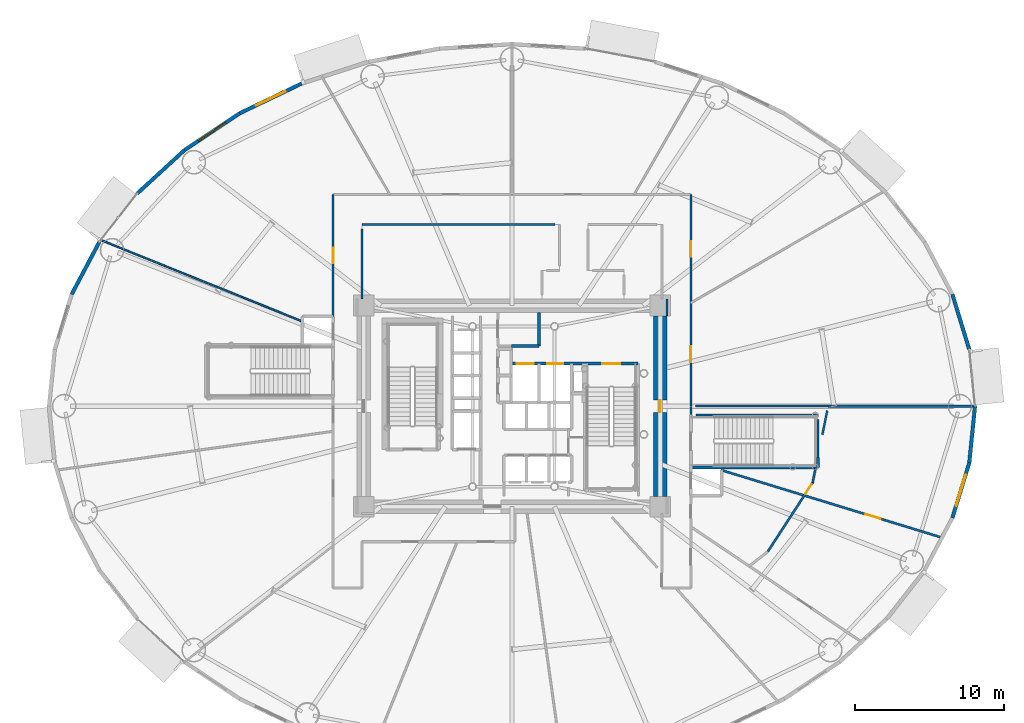
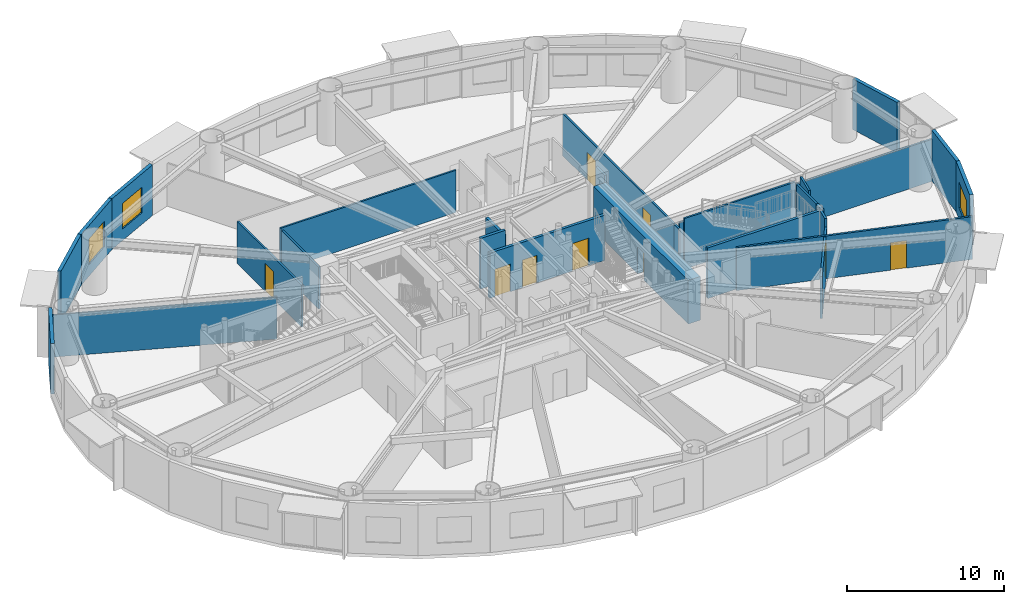
# One storey, part 22 of 35: 28 walls, 9 doors, 3 windows, 12 openings.
"""IFC4 building model written with IfcOpenShell, lengths in metres."""

from ifc_helpers import new_model, si_unit, direction, frame, frame_2d, origin, origin_2d, place, context, subcontext, project, spatial, rectangle, extrude, source, transform, mapped, material, layer, layer_set, type_object, element, fill, save


model = new_model("IFC4")

# Units and contexts
model_context = context("Model", 3, precision=1e-05, world=origin(), true_north=direction((0.0, 1.0)))
body_context = subcontext(model_context, "Body", "Model", "MODEL_VIEW")
ifc_project = project(units=[si_unit("LENGTHUNIT", "METRE"), si_unit("AREAUNIT", "SQUARE_METRE"), si_unit("VOLUMEUNIT", "CUBIC_METRE"), si_unit("PLANEANGLEUNIT", "RADIAN"), si_unit("MASSUNIT", "GRAM", prefix="KILO")], contexts=[model_context])

# Site, building, storey
site_placement = place(None, origin())
site = spatial("IfcSite", under=ifc_project, at=site_placement, CompositionType="ELEMENT")
building_placement = place(site_placement, origin())
building = spatial("IfcBuilding", under=site, at=building_placement, Name="Linh Dai School and Residence Tower", CompositionType="ELEMENT")
storey_placement = place(building_placement, frame((0.0, 0.0, 49.199951171875)))
storey = spatial("IfcBuildingStorey", under=building, at=storey_placement, Name="L11", CompositionType="ELEMENT", Elevation=49.199951171875)

# Wall
ifc_material_1 = material(Name="Precast Concrete B45 (C35/45)", Category="concrete")
ifc_layer_1 = layer(ifc_material_1, 0.25)
ifc_layer_set_1 = layer_set([ifc_layer_1], Name="Precast Concrete B45 (C35/45)")
wall_type_1 = type_object("IfcWallType", Name="EW-TC-250", PredefinedType="SOLIDWALL", material=ifc_layer_set_1)
wall_1_placement = place(storey_placement, frame((65.5576171875, 34.50146484375, 0.0), z_axis=(0.0, 0.0, 1.0), x_axis=(0.293111631758, -0.956078224482, 0.0)))
element("IfcWall", 1, at=wall_1_placement, inside=storey, type_object=wall_type_1, Name="L11 Terracotta Exterior Wall 02", PredefinedType="SOLIDWALL", context=body_context, shape_type="SweptSolid", body=[
    extrude(rectangle(XDim=3.874755859375, YDim=0.25, at=frame_2d((1.9375, 0.0))), origin(), (0.0, 0.0, 1.0), 3.949951171875),
])

# Wall, opening, window
wall_2_placement = place(storey_placement, frame((17.722900390625, 46.65576171875, 0.0), z_axis=(0.0, 0.0, 1.0), x_axis=(0.901601503137, 0.432567601123, 0.0)))
wall_2 = element("IfcWall", 2, at=wall_2_placement, inside=storey, type_object=wall_type_1, Name="L11 Terracotta Exterior Wall 14", PredefinedType="SOLIDWALL", context=body_context, shape_type="SweptSolid", body=[
    extrude(rectangle(XDim=4.61279296875, YDim=0.25, at=frame_2d((2.306396484375, 0.0))), origin(), (0.0, 0.0, 1.0), 3.949951171875),
])
opening_1_placement = place(wall_2_placement, frame((1.20654296875, 0.0, 0.89990234375)))
opening_1 = element("IfcOpeningElement", 3, at=opening_1_placement, cuts=wall_2, Name="Opening W4", PredefinedType="OPENING", context=body_context, shape_type="SweptSolid", body=[
    extrude(rectangle(XDim=2.199951171875, YDim=2.0, at=origin_2d()), frame((1.10009765625, 0.135009765625, 1.0), z_axis=(0.0, -1.0, 0.0), x_axis=(1.0, 0.0, 0.0)), (0.0, 0.0, 1.0), 0.27001953125),
])
ifc_material_2 = material(Name="Acoustic Laminated Low-E Glazing", Category="glass")
window_type = type_object("IfcWindowType", Name="WN-SCH-2200x2000", PartitioningType="TRIPLE_PANEL_VERTICAL", PredefinedType="WINDOW", material=ifc_material_2)
shared_shape_1 = source(origin(), body_context, "Body", "SweptSolid", [
    extrude(rectangle(XDim=2.199951171875, YDim=2.0, at=origin_2d()), frame((1.10009765625, 0.030029296875, 1.0), z_axis=(0.0, -1.0, 0.0), x_axis=(1.0, 0.0, 0.0)), (0.0, 0.0, 1.0), 0.06005859375),
])
window_1_placement = place(opening_1_placement, origin())
window_1 = element("IfcWindow", 4, at=window_1_placement, inside=storey, type_object=window_type, Name="L11 Exterior Window 14.1", OverallHeight=2.0, OverallWidth=2.199951171875, PartitioningType="TRIPLE_PANEL_VERTICAL", PredefinedType="WINDOW", context=body_context, shape_type="MappedRepresentation", body=[
    mapped(shared_shape_1, transform((0.0, 0.0, 0.0), x_axis=(1.0, 0.0, 0.0), y_axis=(0.0, 1.0, 0.0), z_axis=(0.0, 0.0, 1.0), scale=1.0)),
])
fill(opening_1, window_1)

wall_3_placement = place(storey_placement, frame((14.015380859375, 44.17626953125, 0.0), z_axis=(0.0, 0.0, 1.0), x_axis=(0.831240982525, 0.555912249343, 0.0)))
wall_3 = element("IfcWall", 5, at=wall_3_placement, inside=storey, type_object=wall_type_1, Name="L11 Terracotta Exterior Wall 15", PredefinedType="SOLIDWALL", context=body_context, shape_type="SweptSolid", body=[
    extrude(rectangle(XDim=4.460205078125, YDim=0.25, at=frame_2d((2.22998046875, 0.0))), origin(), (0.0, 0.0, 1.0), 3.949951171875),
])
opening_2_placement = place(wall_3_placement, frame((1.13037109375, 0.0, 0.89990234375)))
opening_2 = element("IfcOpeningElement", 6, at=opening_2_placement, cuts=wall_3, Name="Opening W4", PredefinedType="OPENING", context=body_context, shape_type="SweptSolid", body=[
    extrude(rectangle(XDim=2.199951171875, YDim=2.0, at=origin_2d()), frame((1.10009765625, 0.135009765625, 1.0), z_axis=(0.0, -1.0, 0.0), x_axis=(1.0, 0.0, 0.0)), (0.0, 0.0, 1.0), 0.27001953125),
])
window_2_placement = place(opening_2_placement, origin())
window_2 = element("IfcWindow", 7, at=window_2_placement, inside=storey, type_object=window_type, Name="L11 Exterior Window 15.1", OverallHeight=2.0, OverallWidth=2.199951171875, PartitioningType="TRIPLE_PANEL_VERTICAL", PredefinedType="WINDOW", context=body_context, shape_type="MappedRepresentation", body=[
    mapped(shared_shape_1, transform((0.0, 0.0, 0.0), x_axis=(1.0, 0.0, 0.0), y_axis=(0.0, 1.0, 0.0), z_axis=(0.0, 0.0, 1.0), scale=1.0)),
])
fill(opening_2, window_2)

# Walls
wall_4_placement = place(storey_placement, frame((10.850341796875, 41.274658203125, 0.0), z_axis=(0.0, 0.0, 1.0), x_axis=(0.737116376281, 0.67576582321, 0.0)))
element("IfcWall", 8, at=wall_4_placement, inside=storey, type_object=wall_type_1, Name="L11 Terracotta Exterior Wall 16", PredefinedType="SOLIDWALL", context=body_context, shape_type="SweptSolid", body=[
    extrude(rectangle(XDim=4.293701171875, YDim=0.25, at=frame_2d((2.14697265625, 0.0))), origin(), (0.0, 0.0, 1.0), 3.949951171875),
])
wall_5_placement = place(storey_placement, frame((6.4423828125, 34.50146484375, 0.0), z_axis=(0.0, 0.0, 1.0), x_axis=(0.467662443071, 0.883907144072, 0.0)))
element("IfcWall", 9, at=wall_5_placement, inside=storey, type_object=wall_type_1, Name="L11 Terracotta Exterior Wall 18", PredefinedType="SOLIDWALL", context=body_context, shape_type="SweptSolid", body=[
    extrude(rectangle(XDim=3.983642578125, YDim=0.25, at=frame_2d((1.99169921875, 0.0))), origin(), (0.0, 0.0, 1.0), 3.949951171875),
])

# Wall, opening, window
wall_6_placement = place(storey_placement, frame((66.693359375, 23.203125, 0.0), z_axis=(0.0, 0.0, 1.0), x_axis=(-0.293111631758, -0.956078224482, 0.0)))
wall_6 = element("IfcWall", 10, at=wall_6_placement, inside=storey, type_object=wall_type_1, Name="L11 Terracotta Exterior Wall 39", PredefinedType="SOLIDWALL", context=body_context, shape_type="SweptSolid", body=[
    extrude(rectangle(XDim=3.874755859375, YDim=0.25, at=frame_2d((1.9375, 0.0))), origin(), (0.0, 0.0, 1.0), 3.949951171875),
])
opening_3_placement = place(wall_6_placement, frame((0.83740234375, 0.0, 0.89990234375)))
opening_3 = element("IfcOpeningElement", 11, at=opening_3_placement, cuts=wall_6, Name="Opening W4", PredefinedType="OPENING", context=body_context, shape_type="SweptSolid", body=[
    extrude(rectangle(XDim=2.199951171875, YDim=2.0, at=origin_2d()), frame((1.10009765625, 0.135009765625, 1.0), z_axis=(0.0, -1.0, 0.0), x_axis=(1.0, 0.0, 0.0)), (0.0, 0.0, 1.0), 0.27001953125),
])
window_3_placement = place(opening_3_placement, origin())
window_3 = element("IfcWindow", 12, at=window_3_placement, inside=storey, type_object=window_type, Name="L11 Exterior Window 39.1", OverallHeight=2.0, OverallWidth=2.199951171875, PartitioningType="TRIPLE_PANEL_VERTICAL", PredefinedType="WINDOW", context=body_context, shape_type="MappedRepresentation", body=[
    mapped(shared_shape_1, transform((0.0, 0.0, 0.0), x_axis=(1.0, 0.0, 0.0), y_axis=(0.0, 1.0, 0.0), z_axis=(0.0, 0.0, 1.0), scale=1.0)),
])
fill(opening_3, window_3)

# Wall
wall_7_placement = place(storey_placement, frame((67.074951171875, 27.0, 0.0), z_axis=(0.0, 0.0, 1.0), x_axis=(-0.099997795174, -0.994987658698, 0.0)))
element("IfcWall", 13, at=wall_7_placement, inside=storey, type_object=wall_type_1, Name="L11 Terracotta Exterior Wall 40", PredefinedType="SOLIDWALL", context=body_context, shape_type="SweptSolid", body=[
    extrude(rectangle(XDim=3.81591796875, YDim=0.25, at=frame_2d((1.907958984375, 0.0))), origin(), (0.0, 0.0, 1.0), 3.949951171875),
])

# Wall, opening, door
ifc_material_3 = material(Name="Autoclaved Aerated Concrete Blockwork", Category="masonry")
ifc_layer_2 = layer(ifc_material_3, 0.135009765625)
ifc_layer_set_2 = layer_set([ifc_layer_2], Name="Autoclaved Aerated Concrete Blockwork")
wall_type_2 = type_object("IfcWallType", Name="IW-CORR-135-EI90", PredefinedType="PARTITIONING", material=ifc_layer_set_2)
wall_8_placement = place(storey_placement, frame((24.0, 33.010009765625, 0.0), z_axis=(0.0, 0.0, 1.0), x_axis=(0.0, 1.0, 0.0)))
wall_8 = element("IfcWall", 14, at=wall_8_placement, inside=storey, type_object=wall_type_2, Name="L11 Interior Partition Wall 013", PredefinedType="PARTITIONING", context=body_context, shape_type="SweptSolid", body=[
    extrude(rectangle(XDim=8.18994140625, YDim=0.135009765625, at=frame_2d((4.094970703125, 0.0))), origin(), (0.0, 0.0, 1.0), 3.28515625),
])
opening_4_placement = place(wall_8_placement, frame((3.570068359375, 0.0, 0.0)))
opening_4 = element("IfcOpeningElement", 15, at=opening_4_placement, cuts=wall_8, Name="Opening D04", PredefinedType="OPENING", context=body_context, shape_type="SweptSolid", body=[
    extrude(rectangle(XDim=1.050048828125, YDim=2.14990234375, at=origin_2d()), frame((0.52490234375, 0.07763671875, 1.074951171875), z_axis=(0.0, -1.0, 0.0), x_axis=(1.0, 0.0, 0.0)), (0.0, 0.0, 1.0), 0.155029296875),
])
ifc_material_4 = material(Name="Acoustic Vision-Panel Timber Classroom Door", Category="wood")
door_type_1 = type_object("IfcDoorType", Name="DR-SCH-1050x2150-FD60S", OperationType="NOTDEFINED", PredefinedType="DOOR", material=ifc_material_4)
shared_shape_2 = source(origin(), body_context, "Body", "SweptSolid", [
    extrude(rectangle(XDim=1.050048828125, YDim=2.14990234375, at=origin_2d()), frame((0.52490234375, 0.02490234375, 1.074951171875), z_axis=(0.0, -1.0, 0.0), x_axis=(1.0, 0.0, 0.0)), (0.0, 0.0, 1.0), 0.050048828125),
])
door_1_placement = place(opening_4_placement, origin())
door_1 = element("IfcDoor", 16, at=door_1_placement, inside=storey, type_object=door_type_1, Name="L11 Fine Art Painting Studio Door", OperationType="SINGLE_SWING_RIGHT", OverallHeight=2.14990234375, OverallWidth=1.050048828125, PredefinedType="DOOR", context=body_context, shape_type="MappedRepresentation", body=[
    mapped(shared_shape_2, transform((0.0, 0.0, 0.0), x_axis=(1.0, 0.0, 0.0), y_axis=(0.0, 1.0, 0.0), z_axis=(0.0, 0.0, 1.0), scale=1.0)),
])
fill(opening_4, door_1)

# Wall, openings, doors
wall_9_placement = place(storey_placement, frame((48.0, 27.0, 0.0), z_axis=(0.0, 0.0, 1.0), x_axis=(0.0, 1.0, 0.0)))
wall_9 = element("IfcWall", 17, at=wall_9_placement, inside=storey, type_object=wall_type_2, Name="L11 Interior Partition Wall 067", PredefinedType="PARTITIONING", context=body_context, shape_type="SweptSolid", body=[
    extrude(rectangle(XDim=14.199951171875, YDim=0.135009765625, at=frame_2d((7.10009765625, 0.0))), origin(), (0.0, 0.0, 1.0), 3.28515625),
])
opening_5_placement = place(wall_9_placement, frame((2.958984375, 0.0, 0.0)))
opening_5 = element("IfcOpeningElement", 18, at=opening_5_placement, cuts=wall_9, Name="Opening D04", PredefinedType="OPENING", context=body_context, shape_type="SweptSolid", body=[
    extrude(rectangle(XDim=1.050048828125, YDim=2.14990234375, at=origin_2d()), frame((0.52490234375, 0.07763671875, 1.074951171875), z_axis=(0.0, -1.0, 0.0), x_axis=(1.0, 0.0, 0.0)), (0.0, 0.0, 1.0), 0.155029296875),
])
opening_6_placement = place(wall_9_placement, frame((10.01904296875, 0.0, 0.0)))
opening_6 = element("IfcOpeningElement", 19, at=opening_6_placement, cuts=wall_9, Name="Opening D04", PredefinedType="OPENING", context=body_context, shape_type="SweptSolid", body=[
    extrude(rectangle(XDim=1.050048828125, YDim=2.14990234375, at=origin_2d()), frame((0.52490234375, 0.07763671875, 1.074951171875), z_axis=(0.0, -1.0, 0.0), x_axis=(1.0, 0.0, 0.0)), (0.0, 0.0, 1.0), 0.155029296875),
])
door_2_placement = place(opening_5_placement, origin())
door_2 = element("IfcDoor", 20, at=door_2_placement, inside=storey, type_object=door_type_1, Name="L11 Secondary Classroom 1 Door", OperationType="SINGLE_SWING_RIGHT", OverallHeight=2.14990234375, OverallWidth=1.050048828125, PredefinedType="DOOR", context=body_context, shape_type="MappedRepresentation", body=[
    mapped(shared_shape_2, transform((0.0, 0.0, 0.0), x_axis=(1.0, 0.0, 0.0), y_axis=(0.0, 1.0, 0.0), z_axis=(0.0, 0.0, 1.0), scale=1.0)),
])
fill(opening_5, door_2)
door_3_placement = place(opening_6_placement, origin())
door_3 = element("IfcDoor", 21, at=door_3_placement, inside=storey, type_object=door_type_1, Name="L11 Secondary Classroom 2 Door", OperationType="SINGLE_SWING_LEFT", OverallHeight=2.14990234375, OverallWidth=1.050048828125, PredefinedType="DOOR", context=body_context, shape_type="MappedRepresentation", body=[
    mapped(shared_shape_2, transform((0.0, 0.0, 0.0), x_axis=(1.0, 0.0, 0.0), y_axis=(0.0, 1.0, 0.0), z_axis=(0.0, 0.0, 1.0), scale=1.0)),
])
fill(opening_6, door_3)

# Walls
wall_10_placement = place(storey_placement, frame((48.360107421875, 26.419921875, 0.0), z_axis=(0.0, 0.0, 1.0), x_axis=(1.0, 0.0, 0.0)))
element("IfcWall", 22, at=wall_10_placement, inside=storey, type_object=wall_type_2, Name="L11 Interior Partition Wall 086", PredefinedType="PARTITIONING", context=body_context, shape_type="SweptSolid", body=[
    extrude(rectangle(XDim=8.159912109375, YDim=0.135009765625, at=frame_2d((4.080078125, 0.0))), origin(), (0.0, 0.0, 1.0), 3.949951171875),
])
wall_11_placement = place(storey_placement, frame((56.52001953125, 26.112548828125, 0.0), z_axis=(0.0, 0.0, 1.0), x_axis=(0.0, -1.0, 0.0)))
element("IfcWall", 23, at=wall_11_placement, inside=storey, type_object=wall_type_2, Name="L11 Interior Partition Wall 087", PredefinedType="PARTITIONING", context=body_context, shape_type="SweptSolid", body=[
    extrude(rectangle(XDim=2.54345703125, YDim=0.135009765625, at=frame_2d((1.271728515625, 0.0))), origin(), (0.0, 0.0, 1.0), 3.949951171875),
])
wall_12_placement = place(storey_placement, frame((48.0, 26.989990234375, 0.0), z_axis=(0.0, 0.0, 1.0), x_axis=(0.0, -1.0, 0.0)))
element("IfcWall", 24, at=wall_12_placement, inside=storey, type_object=wall_type_2, Name="L11 Interior Partition Wall 088", PredefinedType="PARTITIONING", context=body_context, shape_type="SweptSolid", body=[
    extrude(rectangle(XDim=0.56005859375, YDim=0.135009765625, at=frame_2d((0.280029296875, 0.0))), origin(), (0.0, 0.0, 1.0), 3.28515625),
])
wall_13_placement = place(storey_placement, frame((46.39990234375, 33.06005859375, 0.0), z_axis=(0.0, 0.0, 1.0), x_axis=(0.0, 1.0, 0.0)))
element("IfcWall", 25, at=wall_13_placement, inside=storey, type_object=wall_type_2, Name="L11 Interior Partition Wall 091", PredefinedType="PARTITIONING", context=body_context, shape_type="SweptSolid", body=[
    extrude(rectangle(XDim=1.139892578125, YDim=0.135009765625, at=frame_2d((0.56982421875, 0.0))), origin(), (0.0, 0.0, 1.0), 3.949951171875),
])
wall_14_placement = place(storey_placement, frame((38.892578125, 39.199951171875, 0.0), z_axis=(0.0, 0.0, 1.0), x_axis=(-1.0, 0.0, 0.0)))
element("IfcWall", 26, at=wall_14_placement, inside=storey, type_object=wall_type_2, Name="L11 Interior Partition Wall 100", PredefinedType="PARTITIONING", context=body_context, shape_type="SweptSolid", body=[
    extrude(rectangle(XDim=12.942626953125, YDim=0.135009765625, at=frame_2d((6.47119140625, 0.0))), origin(), (0.0, 0.0, 1.0), 3.28515625),
])
wall_15_placement = place(storey_placement, frame((25.949951171875, 38.892578125, 0.0), z_axis=(0.0, 0.0, 1.0), x_axis=(0.0, -1.0, 0.0)))
element("IfcWall", 27, at=wall_15_placement, inside=storey, type_object=wall_type_2, Name="L11 Interior Partition Wall 101", PredefinedType="PARTITIONING", context=body_context, shape_type="SweptSolid", body=[
    extrude(rectangle(XDim=4.692626953125, YDim=0.135009765625, at=frame_2d((2.34619140625, 0.0))), origin(), (0.0, 0.0, 1.0), 3.28515625),
])
wall_16_placement = place(storey_placement, frame((57.2060546875, 27.0, 0.0), z_axis=(0.0, 0.0, 1.0), x_axis=(-1.0, 0.0, 0.0)))
element("IfcWall", 28, at=wall_16_placement, inside=storey, type_object=wall_type_2, Name="L11 Interior Partition Wall 105", PredefinedType="PARTITIONING", context=body_context, shape_type="SweptSolid", body=[
    extrude(rectangle(XDim=8.878662109375, YDim=0.135009765625, at=frame_2d((4.439453125, 0.0))), origin(), (0.0, 0.0, 1.0), 3.28515625),
])
wall_17_placement = place(storey_placement, frame((56.827392578125, 25.079345703125, 0.0), z_axis=(0.0, 0.0, 1.0), x_axis=(0.198340845342, 0.980133107832, 0.0)))
element("IfcWall", 29, at=wall_17_placement, inside=storey, type_object=wall_type_2, Name="L11 Interior Partition Wall 107", PredefinedType="PARTITIONING", context=body_context, shape_type="SweptSolid", body=[
    extrude(rectangle(XDim=1.645751953125, YDim=0.135009765625, at=frame_2d((0.82275390625, 0.0))), origin(), (0.0, 0.0, 1.0), 3.949951171875),
])
ifc_material_5 = material(Name="Acoustic Operable Timber Panel Partition", Category="wood")
ifc_layer_3 = layer(ifc_material_5, 0.110107421875)
ifc_layer_set_3 = layer_set([ifc_layer_3], Name="Acoustic Operable Timber Panel Partition")
wall_type_3 = type_object("IfcWallType", Name="IW-MOV-110", PredefinedType="MOVABLE", material=ifc_layer_set_3)
wall_18_placement = place(storey_placement, frame((8.399658203125, 38.1513671875, 0.0), z_axis=(0.0, 0.0, 1.0), x_axis=(0.927179581649, -0.374617169084, 0.0)))
element("IfcWall", 30, at=wall_18_placement, inside=storey, type_object=wall_type_3, Name="L11 Interior Partition Wall 002", PredefinedType="MOVABLE", context=body_context, shape_type="SweptSolid", body=[
    extrude(rectangle(XDim=14.614501953125, YDim=0.110107421875, at=frame_2d((7.30712890625, 0.0))), origin(), (0.0, 0.0, 1.0), 3.28515625),
])

# Wall, opening, door
ifc_layer_4 = layer(ifc_material_3, 0.14990234375)
ifc_layer_set_4 = layer_set([ifc_layer_4], Name="Autoclaved Aerated Concrete Blockwork")
wall_type_4 = type_object("IfcWallType", Name="IW-SCH-150-EI60", PredefinedType="PARTITIONING", material=ifc_layer_set_4)
wall_19_placement = place(storey_placement, frame((50.050048828125, 22.70458984375, 0.0), z_axis=(0.0, 0.0, 1.0), x_axis=(0.9563012706, -0.292383104588, 0.0)))
wall_19 = element("IfcWall", 31, at=wall_19_placement, inside=storey, type_object=wall_type_4, Name="L11 Interior Partition Wall 070", PredefinedType="PARTITIONING", context=body_context, shape_type="SweptSolid", body=[
    extrude(rectangle(XDim=15.490234375, YDim=0.14990234375, at=frame_2d((7.7451171875, 0.0))), origin(), (0.0, 0.0, 1.0), 3.3349609375),
])
opening_7_placement = place(wall_19_placement, frame((10.110107421875, 0.0, 0.0)))
opening_7 = element("IfcOpeningElement", 32, at=opening_7_placement, cuts=wall_19, Name="Opening D04", PredefinedType="OPENING", context=body_context, shape_type="SweptSolid", body=[
    extrude(rectangle(XDim=1.050048828125, YDim=2.14990234375, at=origin_2d()), frame((0.52490234375, 0.0849609375, 1.074951171875), z_axis=(0.0, -1.0, 0.0), x_axis=(1.0, 0.0, 0.0)), (0.0, 0.0, 1.0), 0.169921875),
])
door_4_placement = place(opening_7_placement, origin())
door_4 = element("IfcDoor", 33, at=door_4_placement, inside=storey, type_object=door_type_1, Name="L11 Resource Study Room GWC Door", OperationType="SINGLE_SWING_LEFT", OverallHeight=2.14990234375, OverallWidth=1.050048828125, PredefinedType="DOOR", context=body_context, shape_type="MappedRepresentation", body=[
    mapped(shared_shape_2, transform((0.0, 0.0, 0.0), x_axis=(1.0, 0.0, 0.0), y_axis=(0.0, 1.0, 0.0), z_axis=(0.0, 0.0, 1.0), scale=1.0)),
])
fill(opening_7, door_4)

wall_20_placement = place(storey_placement, frame((53.1640625, 17.235595703125, 0.0), z_axis=(0.0, 0.0, 1.0), x_axis=(0.545448002944, 0.838144662981, 0.0)))
wall_20 = element("IfcWall", 34, at=wall_20_placement, inside=storey, type_object=wall_type_4, Name="L11 Interior Partition Wall 072", PredefinedType="PARTITIONING", context=body_context, shape_type="SweptSolid", body=[
    extrude(rectangle(XDim=5.525146484375, YDim=0.14990234375, at=frame_2d((2.7626953125, 0.0))), origin(), (0.0, 0.0, 1.0), 3.28515625),
])
opening_8_placement = place(wall_20_placement, frame((4.631103515625, 0.0, 0.0)))
opening_8 = element("IfcOpeningElement", 35, at=opening_8_placement, cuts=wall_20, Name="Opening D08", PredefinedType="OPENING", context=body_context, shape_type="SweptSolid", body=[
    extrude(rectangle(XDim=0.760009765625, YDim=2.10009765625, at=origin_2d()), frame((0.3798828125, 0.0849609375, 1.050048828125), z_axis=(0.0, -1.0, 0.0), x_axis=(1.0, 0.0, 0.0)), (0.0, 0.0, 1.0), 0.169921875),
])
ifc_material_6 = material(Name="Engineered Timber Closet and Study Door", Category="wood")
door_type_2 = type_object("IfcDoorType", Name="DR-CMP-760x2100", OperationType="NOTDEFINED", PredefinedType="DOOR", material=ifc_material_6)
shared_shape_3 = source(origin(), body_context, "Body", "SweptSolid", [
    extrude(rectangle(XDim=0.760009765625, YDim=2.10009765625, at=origin_2d()), frame((0.3798828125, 0.02490234375, 1.050048828125), z_axis=(0.0, -1.0, 0.0), x_axis=(1.0, 0.0, 0.0)), (0.0, 0.0, 1.0), 0.050048828125),
])
door_5_placement = place(opening_8_placement, origin())
door_5 = element("IfcDoor", 36, at=door_5_placement, inside=storey, type_object=door_type_2, Name="L11 Floor Girls WC Door", OperationType="SINGLE_SWING_RIGHT", OverallHeight=2.10009765625, OverallWidth=0.760009765625, PredefinedType="DOOR", context=body_context, shape_type="MappedRepresentation", body=[
    mapped(shared_shape_3, transform((0.0, 0.0, 0.0), x_axis=(1.0, 0.0, 0.0), y_axis=(0.0, 1.0, 0.0), z_axis=(0.0, 0.0, 1.0), scale=1.0)),
])
fill(opening_8, door_5)

# Walls
wall_21_placement = place(storey_placement, frame((56.177734375, 21.866455078125, 0.0), z_axis=(0.0, 0.0, 1.0), x_axis=(0.198113758035, 0.980179034094, 0.0)))
element("IfcWall", 37, at=wall_21_placement, inside=storey, type_object=wall_type_4, Name="L11 Interior Partition Wall 073", PredefinedType="PARTITIONING", context=body_context, shape_type="SweptSolid", body=[
    extrude(rectangle(XDim=1.033935546875, YDim=0.14990234375, at=frame_2d((0.51708984375, 0.0))), origin(), (0.0, 0.0, 1.0), 3.949951171875),
])
wall_22_placement = place(storey_placement, frame((57.216064453125, 27.0, 0.0), z_axis=(0.0, 0.0, 1.0), x_axis=(1.0, 0.0, 0.0)))
element("IfcWall", 38, at=wall_22_placement, inside=storey, type_object=wall_type_4, Name="L11 Interior Partition Wall 075", PredefinedType="PARTITIONING", context=body_context, shape_type="SweptSolid", body=[
    extrude(rectangle(XDim=9.864013671875, YDim=0.14990234375, at=frame_2d((4.93212890625, 0.0))), origin(), (0.0, 0.0, 1.0), 3.28515625),
])

# Wall, openings, doors
ifc_material_7 = material(Name="Concrete B45 (C35/45)", Category="concrete")
ifc_layer_5 = layer(ifc_material_7, 0.199951171875)
ifc_layer_set_5 = layer_set([ifc_layer_5], Name="Concrete B45 (C35/45)")
wall_type_5 = type_object("IfcWallType", Name="IW-SHAFT-200-EI120", PredefinedType="PARTITIONING", material=ifc_layer_set_5)
wall_23_placement = place(storey_placement, frame((35.949951171875, 29.85009765625, 0.0), z_axis=(0.0, 0.0, 1.0), x_axis=(1.0, 0.0, 0.0)))
wall_23 = element("IfcWall", 39, at=wall_23_placement, inside=storey, type_object=wall_type_5, Name="L11 Interior Partition Wall 038", PredefinedType="PARTITIONING", context=body_context, shape_type="SweptSolid", body=[
    extrude(rectangle(XDim=8.489990234375, YDim=0.199951171875, at=frame_2d((4.2451171875, 0.0))), origin(), (0.0, 0.0, 1.0), 3.53515625),
])
opening_9_placement = place(wall_23_placement, frame((6.10009765625, 0.0, 0.0)))
opening_9 = element("IfcOpeningElement", 40, at=opening_9_placement, cuts=wall_23, Name="Opening D01", PredefinedType="OPENING", context=body_context, shape_type="SweptSolid", body=[
    extrude(rectangle(XDim=1.199951171875, YDim=2.14990234375, at=origin_2d()), frame((0.60009765625, 0.10986328125, 1.074951171875), z_axis=(0.0, -1.0, 0.0), x_axis=(1.0, 0.0, 0.0)), (0.0, 0.0, 1.0), 0.219970703125),
])
opening_10_placement = place(wall_23_placement, frame((0.3701171875, 0.0, 0.0)))
opening_10 = element("IfcOpeningElement", 41, at=opening_10_placement, cuts=wall_23, Name="Opening LD-FF1", PredefinedType="OPENING", context=body_context, shape_type="SweptSolid", body=[
    extrude(rectangle(XDim=1.14990234375, YDim=2.14990234375, at=origin_2d()), frame((0.574951171875, 0.10986328125, 1.074951171875), z_axis=(0.0, -1.0, 0.0), x_axis=(1.0, 0.0, 0.0)), (0.0, 0.0, 1.0), 0.219970703125),
])
opening_11_placement = place(wall_23_placement, frame((2.425048828125, 0.0, 0.0)))
opening_11 = element("IfcOpeningElement", 42, at=opening_11_placement, cuts=wall_23, Name="Opening LD-SV1", PredefinedType="OPENING", context=body_context, shape_type="SweptSolid", body=[
    extrude(rectangle(XDim=1.050048828125, YDim=2.14990234375, at=origin_2d()), frame((0.52490234375, 0.10986328125, 1.074951171875), z_axis=(0.0, -1.0, 0.0), x_axis=(1.0, 0.0, 0.0)), (0.0, 0.0, 1.0), 0.219970703125),
])
ifc_material_8 = material(Name="Fire-Rated Steel Door Leaf", Category="steel")
door_type_3 = type_object("IfcDoorType", Name="DR-STAIR-1200x2150-FD90S", OperationType="NOTDEFINED", PredefinedType="DOOR", material=ifc_material_8)
shared_shape_4 = source(origin(), body_context, "Body", "SweptSolid", [
    extrude(rectangle(XDim=1.199951171875, YDim=2.14990234375, at=origin_2d()), frame((0.60009765625, 0.02490234375, 1.074951171875), z_axis=(0.0, -1.0, 0.0), x_axis=(1.0, 0.0, 0.0)), (0.0, 0.0, 1.0), 0.050048828125),
])
door_6_placement = place(opening_9_placement, origin())
door_6 = element("IfcDoor", 43, at=door_6_placement, inside=storey, type_object=door_type_3, Name="L11 Core Smokeproof Exit Stair ST2 Door", OperationType="SINGLE_SWING_RIGHT", OverallHeight=2.14990234375, OverallWidth=1.199951171875, PredefinedType="DOOR", context=body_context, shape_type="MappedRepresentation", body=[
    mapped(shared_shape_4, transform((0.0, 0.0, 0.0), x_axis=(1.0, 0.0, 0.0), y_axis=(0.0, 1.0, 0.0), z_axis=(0.0, 0.0, 1.0), scale=1.0)),
])
fill(opening_9, door_6)
ifc_material_9 = material(Name="Fire-Rated Stainless Steel Firefighting Lift Door", Category="steel")
door_type_4 = type_object("IfcDoorType", Name="DR-LD-FF-1150x2150-FD120", OperationType="DOUBLE_DOOR_SLIDING", PredefinedType="USERDEFINED", material=ifc_material_9)
shared_shape_5 = source(origin(), body_context, "Body", "SweptSolid", [
    extrude(rectangle(XDim=1.14990234375, YDim=2.14990234375, at=origin_2d()), frame((0.574951171875, 0.02490234375, 1.074951171875), z_axis=(0.0, -1.0, 0.0), x_axis=(1.0, 0.0, 0.0)), (0.0, 0.0, 1.0), 0.050048828125),
])
door_7_placement = place(opening_10_placement, origin())
door_7 = element("IfcDoor", 44, at=door_7_placement, inside=storey, type_object=door_type_4, Name="L11 Lift FF1 Sliding Landing Door", ObjectType="LANDING DOOR", OperationType="DOUBLE_DOOR_SLIDING", OverallHeight=2.14990234375, OverallWidth=1.14990234375, PredefinedType="USERDEFINED", context=body_context, shape_type="MappedRepresentation", body=[
    mapped(shared_shape_5, transform((0.0, 0.0, 0.0), x_axis=(1.0, 0.0, 0.0), y_axis=(0.0, 1.0, 0.0), z_axis=(0.0, 0.0, 1.0), scale=1.0)),
])
fill(opening_10, door_7)
ifc_material_10 = material(Name="Brushed Stainless Steel Lift Landing Door", Category="steel")
door_type_5 = type_object("IfcDoorType", Name="DR-LD-PASS-1050x2150", OperationType="DOUBLE_DOOR_SLIDING", PredefinedType="USERDEFINED", material=ifc_material_10)
shared_shape_6 = source(origin(), body_context, "Body", "SweptSolid", [
    extrude(rectangle(XDim=1.050048828125, YDim=2.14990234375, at=origin_2d()), frame((0.52490234375, 0.02490234375, 1.074951171875), z_axis=(0.0, -1.0, 0.0), x_axis=(1.0, 0.0, 0.0)), (0.0, 0.0, 1.0), 0.050048828125),
])
door_8_placement = place(opening_11_placement, origin())
door_8 = element("IfcDoor", 45, at=door_8_placement, inside=storey, type_object=door_type_5, Name="L11 Lift SV1 Sliding Landing Door", ObjectType="LANDING DOOR", OperationType="DOUBLE_DOOR_SLIDING", OverallHeight=2.14990234375, OverallWidth=1.050048828125, PredefinedType="USERDEFINED", context=body_context, shape_type="MappedRepresentation", body=[
    mapped(shared_shape_6, transform((0.0, 0.0, 0.0), x_axis=(1.0, 0.0, 0.0), y_axis=(0.0, 1.0, 0.0), z_axis=(0.0, 0.0, 1.0), scale=1.0)),
])
fill(opening_11, door_8)

# Walls
wall_24_placement = place(storey_placement, frame((35.9599609375, 31.050048828125, 0.0), z_axis=(0.0, 0.0, 1.0), x_axis=(1.0, 0.0, 0.0)))
element("IfcWall", 46, at=wall_24_placement, inside=storey, type_object=wall_type_5, Name="L11 Interior Partition Wall 039", PredefinedType="PARTITIONING", context=body_context, shape_type="SweptSolid", body=[
    extrude(rectangle(XDim=1.840087890625, YDim=0.199951171875, at=frame_2d((0.919921875, 0.0))), origin(), (0.0, 0.0, 1.0), 3.949951171875),
])
wall_25_placement = place(storey_placement, frame((37.800048828125, 31.050048828125, 0.0), z_axis=(0.0, 0.0, 1.0), x_axis=(0.0, 1.0, 0.0)))
element("IfcWall", 47, at=wall_25_placement, inside=storey, type_object=wall_type_5, Name="L11 Interior Partition Wall 046", PredefinedType="PARTITIONING", context=body_context, shape_type="SweptSolid", body=[
    extrude(rectangle(XDim=2.25, YDim=0.199951171875, at=frame_2d((1.125, 0.0))), origin(), (0.0, 0.0, 1.0), 3.53515625),
])
wall_26_placement = place(storey_placement, frame((48.0, 22.8798828125, 0.0), z_axis=(0.0, 0.0, 1.0), x_axis=(1.0, 0.0, 0.0)))
element("IfcWall", 48, at=wall_26_placement, inside=storey, type_object=wall_type_5, Name="L11 Interior Partition Wall 066", PredefinedType="PARTITIONING", context=body_context, shape_type="SweptSolid", body=[
    extrude(rectangle(XDim=8.382568359375, YDim=0.199951171875, at=frame_2d((4.19140625, 0.0))), origin(), (0.0, 0.0, 1.0), 3.949951171875),
])
wall_27_placement = place(storey_placement, frame((56.52001953125, 22.8798828125, 0.0), z_axis=(0.0, 0.0, 1.0), x_axis=(0.0, 1.0, 0.0)))
element("IfcWall", 49, at=wall_27_placement, inside=storey, type_object=wall_type_5, Name="L11 Interior Partition Wall 074", PredefinedType="PARTITIONING", context=body_context, shape_type="SweptSolid", body=[
    extrude(rectangle(XDim=0.67919921875, YDim=0.199951171875, at=frame_2d((0.339599609375, 0.0))), origin(), (0.0, 0.0, 1.0), 3.949951171875),
])

# Wall, opening, door
ifc_material_11 = material(Name="Concrete B60 (C50/60)", Category="concrete")
ifc_layer_6 = layer(ifc_material_11, 0.89990234375)
ifc_layer_set_6 = layer_set([ifc_layer_6], Name="Concrete B60 (C50/60)")
wall_type_6 = type_object("IfcWallType", Name="WL-CORE900", PredefinedType="SHEAR", material=ifc_layer_set_6)
wall_28_placement = place(storey_placement, frame((45.949951171875, 33.050048828125, 0.0), z_axis=(0.0, 0.0, 1.0), x_axis=(0.0, -1.0, 0.0)))
wall_28 = element("IfcWall", 50, at=wall_28_placement, inside=storey, type_object=wall_type_6, Name="L11 Central Core Shear Wall E", PredefinedType="SHEAR", context=body_context, shape_type="SweptSolid", body=[
    extrude(rectangle(XDim=12.10009765625, YDim=0.89990234375, at=frame_2d((6.050048828125, 0.0))), origin(), (0.0, 0.0, 1.0), 3.400146484375),
])
opening_12_placement = place(wall_28_placement, frame((5.639892578125, 0.0, 0.0)))
opening_12 = element("IfcOpeningElement", 51, at=opening_12_placement, cuts=wall_28, Name="Opening D06", PredefinedType="OPENING", context=body_context, shape_type="SweptSolid", body=[
    extrude(rectangle(XDim=0.820068359375, YDim=2.10009765625, at=origin_2d()), frame((0.41015625, 0.4599609375, 1.050048828125), z_axis=(0.0, -1.0, 0.0), x_axis=(1.0, 0.0, 0.0)), (0.0, 0.0, 1.0), 0.919921875),
])
ifc_material_12 = material(Name="Moisture-Resistant Timber Bathroom Door", Category="wood")
door_type_6 = type_object("IfcDoorType", Name="DR-WET-820x2100", OperationType="NOTDEFINED", PredefinedType="DOOR", material=ifc_material_12)
shared_shape_7 = source(origin(), body_context, "Body", "SweptSolid", [
    extrude(rectangle(XDim=0.820068359375, YDim=2.10009765625, at=origin_2d()), frame((0.41015625, 0.02490234375, 1.050048828125), z_axis=(0.0, -1.0, 0.0), x_axis=(1.0, 0.0, 0.0)), (0.0, 0.0, 1.0), 0.050048828125),
])
door_9_placement = place(opening_12_placement, origin())
door_9 = element("IfcDoor", 52, at=door_9_placement, inside=storey, type_object=door_type_6, Name="L11 Firefighting Lobby Door", OperationType="SINGLE_SWING_LEFT", OverallHeight=2.10009765625, OverallWidth=0.820068359375, PredefinedType="DOOR", context=body_context, shape_type="MappedRepresentation", body=[
    mapped(shared_shape_7, transform((0.0, 0.0, 0.0), x_axis=(1.0, 0.0, 0.0), y_axis=(0.0, 1.0, 0.0), z_axis=(0.0, 0.0, 1.0), scale=1.0)),
])
fill(opening_12, door_9)

save(model, "model.ifc")
